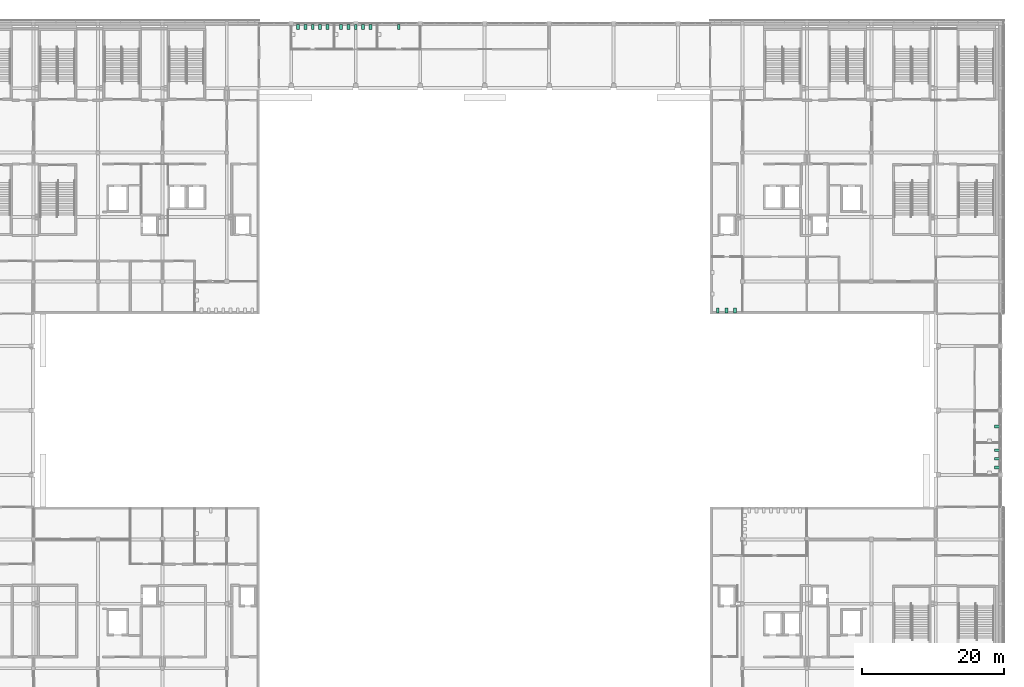
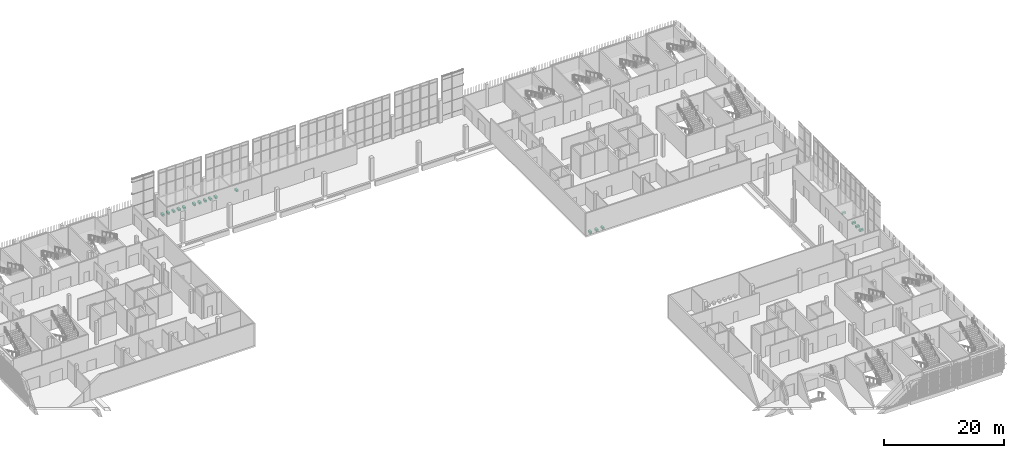
# One storey, part 91 of 91: 18 sanitary terminals.
"""IFC4 building model written with IfcOpenShell, lengths in metres."""

from ifc_helpers import new_model, si_unit, direction, frame, origin, origin_2d, place, context, subcontext, project, spatial, rectangle, extrude, element, save


model = new_model("IFC4")

# Units and contexts
model_context = context("Model", 3, precision=1e-05, world=origin(), true_north=direction((0.0, 1.0)))
body_context = subcontext(model_context, "Body", "Model", "MODEL_VIEW")
ifc_project = project(units=[si_unit("LENGTHUNIT", "METRE"), si_unit("AREAUNIT", "SQUARE_METRE"), si_unit("VOLUMEUNIT", "CUBIC_METRE"), si_unit("PLANEANGLEUNIT", "RADIAN"), si_unit("MASSUNIT", "GRAM", prefix="KILO")], contexts=[model_context])

# Site, building, storey
site_placement = place(None, origin())
site = spatial("IfcSite", under=ifc_project, at=site_placement, CompositionType="ELEMENT")
building_placement = place(site_placement, origin())
building = spatial("IfcBuilding", under=site, at=building_placement, Name="Shirokan Park Arena", CompositionType="ELEMENT")
storey_placement = place(building_placement, frame((0.0, 0.0, 24.570068359375)))
storey = spatial("IfcBuildingStorey", under=building, at=storey_placement, Name="L05", CompositionType="ELEMENT", Elevation=24.570068359375)

# Sanitary terminals
for number, where, z_axis, x_axis, name in (
    (1, (105.708251953125, 68.699951171875, 0.0), (0.0, 0.0, 1.0), (1.0, 0.0, 0.0), "Water closet Women's WC 5.34"),
    (2, (106.925048828125, 68.699951171875, 0.0), (0.0, 0.0, 1.0), (1.0, 0.0, 0.0), "Water closet Women's WC 5.34"),
    (3, (108.1416015625, 68.699951171875, 0.0), (0.0, 0.0, 1.0), (1.0, 0.0, 0.0), "Water closet Women's WC 5.34"),
):
    element("IfcSanitaryTerminal", number, at=place(storey_placement, frame(where, z_axis=z_axis, x_axis=x_axis)), inside=storey, Name=name, PredefinedType="TOILETPAN", context=body_context, shape_type="SweptSolid", body=[
        extrude(rectangle(XDim=0.39990234375, YDim=0.699951171875, at=origin_2d()), origin(), (0.0, 0.0, 1.0), 0.39990234375),
    ])
for number, where, z_axis, x_axis, name in (
    (4, (145.14990234375, 46.558349609375, 0.0), (0.0, 0.0, 1.0), (1.0, 0.0, 0.0), "Water closet Men's WC 5.21"),
    (5, (145.14990234375, 47.77490234375, 0.0), (0.0, 0.0, 1.0), (1.0, 0.0, 0.0), "Water closet Men's WC 5.21"),
    (6, (145.14990234375, 48.99169921875, 0.0), (0.0, 0.0, 1.0), (1.0, 0.0, 0.0), "Water closet Men's WC 5.21"),
    (7, (145.14990234375, 52.324951171875, 0.0), (0.0, 0.0, 1.0), (1.0, 0.0, 0.0), "Water closet Accessible WC 5.22"),
):
    element("IfcSanitaryTerminal", number, at=place(storey_placement, frame(where, z_axis=z_axis, x_axis=x_axis)), inside=storey, Name=name, PredefinedType="TOILETPAN", context=body_context, shape_type="SweptSolid", body=[
        extrude(rectangle(XDim=0.699951171875, YDim=0.39990234375, at=origin_2d()), origin(), (0.0, 0.0, 1.0), 0.39990234375),
    ])
for number, where, z_axis, x_axis, name in (
    (8, (46.466796875, 108.75, 0.0), (0.0, 0.0, 1.0), (1.0, 0.0, 0.0), "Water closet Men's WC 5.31"),
    (9, (47.5, 108.75, 0.0), (0.0, 0.0, 1.0), (1.0, 0.0, 0.0), "Water closet Men's WC 5.31"),
    (10, (48.533203125, 108.75, 0.0), (0.0, 0.0, 1.0), (1.0, 0.0, 0.0), "Water closet Men's WC 5.31"),
    (11, (49.566650390625, 108.75, 0.0), (0.0, 0.0, 1.0), (1.0, 0.0, 0.0), "Water closet Men's WC 5.31"),
    (12, (50.60009765625, 108.75, 0.0), (0.0, 0.0, 1.0), (1.0, 0.0, 0.0), "Water closet Men's WC 5.31"),
    (13, (52.533447265625, 108.75, 0.0), (0.0, 0.0, 1.0), (1.0, 0.0, 0.0), "Water closet Women's WC 5.32"),
    (14, (53.566650390625, 108.75, 0.0), (0.0, 0.0, 1.0), (1.0, 0.0, 0.0), "Water closet Women's WC 5.32"),
    (15, (54.60009765625, 108.75, 0.0), (0.0, 0.0, 1.0), (1.0, 0.0, 0.0), "Water closet Women's WC 5.32"),
    (16, (55.63330078125, 108.75, 0.0), (0.0, 0.0, 1.0), (1.0, 0.0, 0.0), "Water closet Women's WC 5.32"),
    (17, (56.66650390625, 108.75, 0.0), (0.0, 0.0, 1.0), (1.0, 0.0, 0.0), "Water closet Women's WC 5.32"),
    (18, (60.666748046875, 108.75, 0.0), (0.0, 0.0, 1.0), (1.0, 0.0, 0.0), "Water closet Accessible WC 5.33"),
):
    element("IfcSanitaryTerminal", number, at=place(storey_placement, frame(where, z_axis=z_axis, x_axis=x_axis)), inside=storey, Name=name, PredefinedType="TOILETPAN", context=body_context, shape_type="SweptSolid", body=[
        extrude(rectangle(XDim=0.39990234375, YDim=0.699951171875, at=origin_2d()), origin(), (0.0, 0.0, 1.0), 0.39990234375),
    ])

save(model, "model.ifc")
